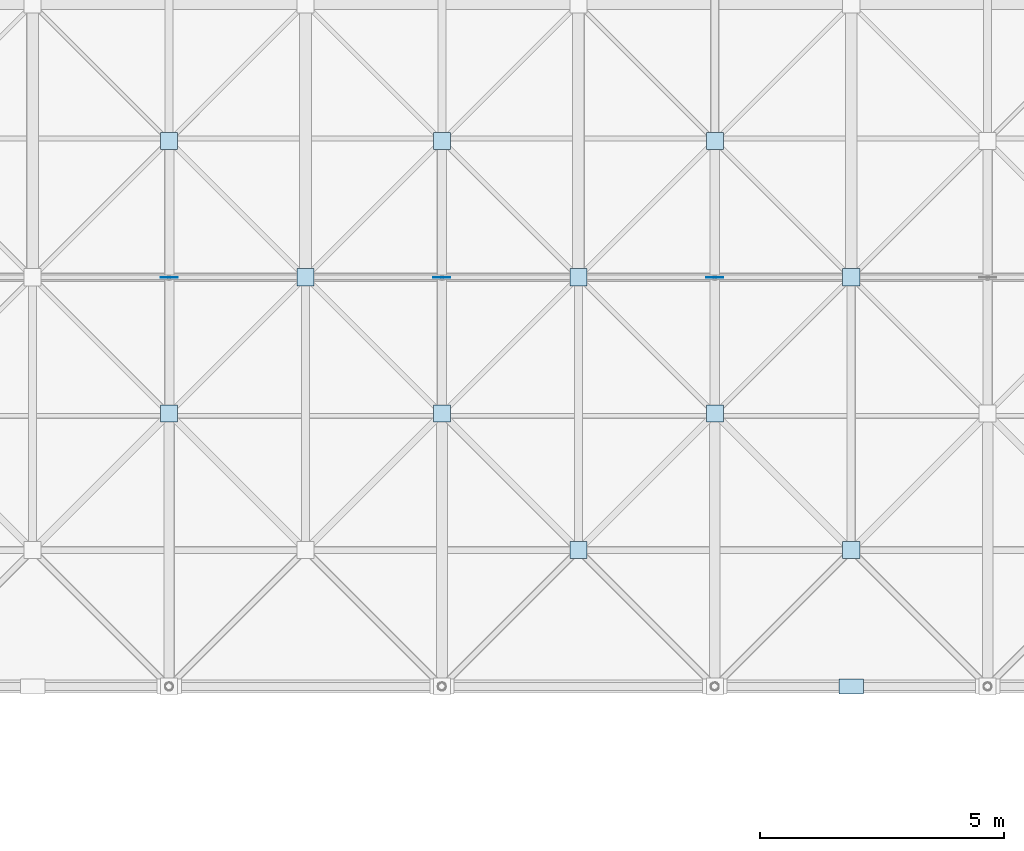
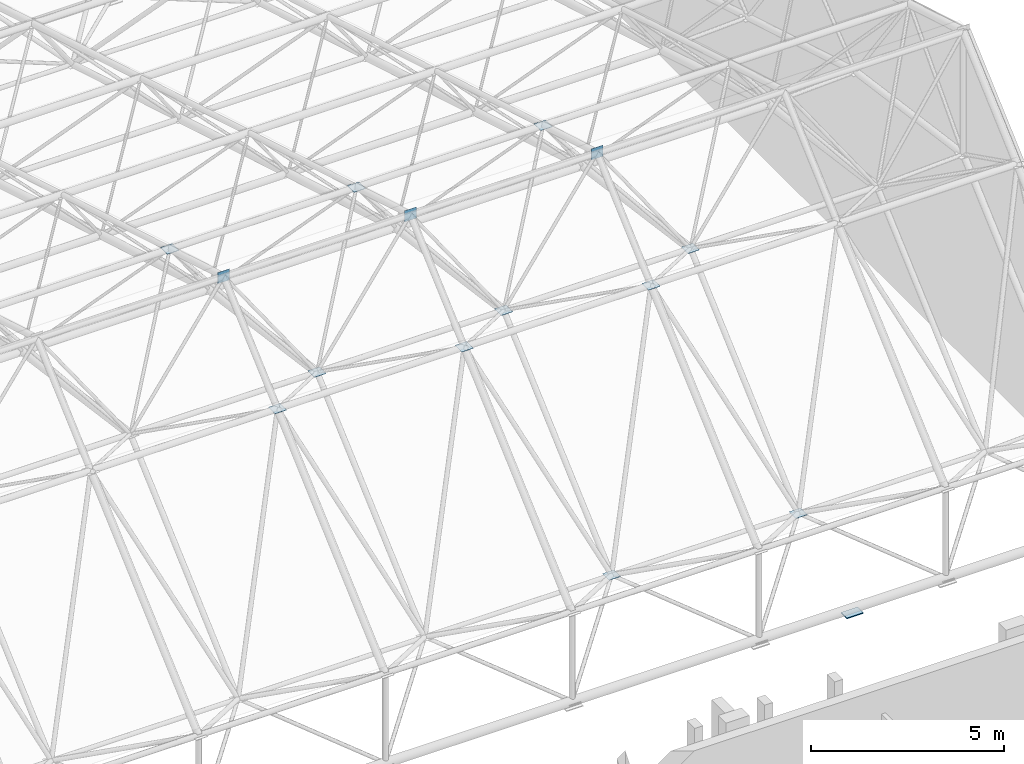
# One storey, part 60 of 100: 15 plates.
"""IFC4 building model written with IfcOpenShell, lengths in metres."""

from ifc_helpers import new_model, si_unit, direction, frame, origin, origin_2d, place, context, subcontext, project, spatial, rectangle, extrude, material, layer, layer_set, type_object, element, save


model = new_model("IFC4")

# Units and contexts
model_context = context("Model", 3, precision=1e-05, world=origin(), true_north=direction((0.0, 1.0)))
body_context = subcontext(model_context, "Body", "Model", "MODEL_VIEW")
ifc_project = project(units=[si_unit("LENGTHUNIT", "METRE"), si_unit("AREAUNIT", "SQUARE_METRE"), si_unit("VOLUMEUNIT", "CUBIC_METRE"), si_unit("PLANEANGLEUNIT", "RADIAN"), si_unit("MASSUNIT", "GRAM", prefix="KILO")], contexts=[model_context])

# Site, building, storey
site_placement = place(None, origin())
site = spatial("IfcSite", under=ifc_project, at=site_placement, CompositionType="ELEMENT")
building_placement = place(site_placement, origin())
building = spatial("IfcBuilding", under=site, at=building_placement, Name="Kiln Court Media Centre", CompositionType="ELEMENT")
storey_placement = place(building_placement, frame((0.0, 0.0, 15.0)))
storey = spatial("IfcBuildingStorey", under=building, at=storey_placement, Name="L03", CompositionType="ELEMENT", Elevation=15.0)

# Plates
ifc_material_1 = material(Name="Steel ASTM A572 Gr 50", Category="steel")
ifc_layer_1 = layer(ifc_material_1, 0.010009765625)
ifc_layer_set_1 = layer_set([ifc_layer_1], Name="Steel ASTM A572 Gr 50 350x350x10 connection plate V2")
plate_type_1 = type_object("IfcPlateType", Name="Steel ASTM A572 Gr 50 350x350x10 connection plate V2", PredefinedType="USERDEFINED", material=ifc_layer_set_1)
plate_1_placement = place(storey_placement, frame((145.60009765625, 39.199951171875, 7.9951171875), z_axis=(0.0, 0.0, 1.0), x_axis=(1.0, 0.0, 0.0)))
element("IfcPlate", 1, at=plate_1_placement, inside=storey, type_object=plate_type_1, Name="V2 node connection plate", ObjectType="CONNECTION PLATE", PredefinedType="USERDEFINED", context=body_context, shape_type="SweptSolid", body=[
    extrude(rectangle(XDim=0.35009765625, YDim=0.35009765625, at=origin_2d()), origin(), (0.0, 0.0, 1.0), 0.010009765625),
])
plate_2_placement = place(storey_placement, frame((145.60009765625, 42.0, 10.324951171875), z_axis=(0.0, 0.0, 1.0), x_axis=(1.0, 0.0, 0.0)))
element("IfcPlate", 2, at=plate_2_placement, inside=storey, type_object=plate_type_1, Name="V2 node connection plate", ObjectType="CONNECTION PLATE", PredefinedType="USERDEFINED", context=body_context, shape_type="SweptSolid", body=[
    extrude(rectangle(XDim=0.35009765625, YDim=0.010009765625, at=origin_2d()), origin(), (0.0, 0.0, 1.0), 0.35009765625),
])
for number, where, z_axis, x_axis, name in (
    (3, (145.60009765625, 44.800048828125, 9.66162109375), (0.0, 0.0, 1.0), (1.0, 0.0, 0.0), "V2 node connection plate"),
    (4, (148.39990234375, 42.0, 6.47314453125), (0.0, 0.0, 1.0), (1.0, 0.0, 0.0), "V2 node connection plate"),
    (5, (151.199951171875, 39.199951171875, 7.9951171875), (0.0, 0.0, 1.0), (1.0, 0.0, 0.0), "V2 node connection plate"),
):
    element("IfcPlate", number, at=place(storey_placement, frame(where, z_axis=z_axis, x_axis=x_axis)), inside=storey, type_object=plate_type_1, Name=name, ObjectType="CONNECTION PLATE", PredefinedType="USERDEFINED", context=body_context, shape_type="SweptSolid", body=[
        extrude(rectangle(XDim=0.35009765625, YDim=0.35009765625, at=origin_2d()), origin(), (0.0, 0.0, 1.0), 0.010009765625),
    ])
plate_3_placement = place(storey_placement, frame((151.199951171875, 42.0, 10.324951171875), z_axis=(0.0, 0.0, 1.0), x_axis=(1.0, 0.0, 0.0)))
element("IfcPlate", 6, at=plate_3_placement, inside=storey, type_object=plate_type_1, Name="V2 node connection plate", ObjectType="CONNECTION PLATE", PredefinedType="USERDEFINED", context=body_context, shape_type="SweptSolid", body=[
    extrude(rectangle(XDim=0.35009765625, YDim=0.010009765625, at=origin_2d()), origin(), (0.0, 0.0, 1.0), 0.35009765625),
])
for number, where, z_axis, x_axis, name in (
    (7, (151.199951171875, 44.800048828125, 9.66162109375), (0.0, 0.0, 1.0), (1.0, 0.0, 0.0), "V2 node connection plate"),
    (8, (154.0, 36.39990234375, 1.47314453125), (0.0, 0.0, 1.0), (1.0, 0.0, 0.0), "V2 node connection plate"),
    (9, (154.0, 42.0, 6.47314453125), (0.0, 0.0, 1.0), (1.0, 0.0, 0.0), "V2 node connection plate"),
    (10, (156.800048828125, 39.199951171875, 7.9951171875), (0.0, 0.0, 1.0), (1.0, 0.0, 0.0), "V2 node connection plate"),
):
    element("IfcPlate", number, at=place(storey_placement, frame(where, z_axis=z_axis, x_axis=x_axis)), inside=storey, type_object=plate_type_1, Name=name, ObjectType="CONNECTION PLATE", PredefinedType="USERDEFINED", context=body_context, shape_type="SweptSolid", body=[
        extrude(rectangle(XDim=0.35009765625, YDim=0.35009765625, at=origin_2d()), origin(), (0.0, 0.0, 1.0), 0.010009765625),
    ])
plate_4_placement = place(storey_placement, frame((156.800048828125, 42.0, 10.324951171875), z_axis=(0.0, 0.0, 1.0), x_axis=(1.0, 0.0, 0.0)))
element("IfcPlate", 11, at=plate_4_placement, inside=storey, type_object=plate_type_1, Name="V2 node connection plate", ObjectType="CONNECTION PLATE", PredefinedType="USERDEFINED", context=body_context, shape_type="SweptSolid", body=[
    extrude(rectangle(XDim=0.35009765625, YDim=0.010009765625, at=origin_2d()), origin(), (0.0, 0.0, 1.0), 0.35009765625),
])
for number, where, z_axis, x_axis, name in (
    (12, (156.800048828125, 44.800048828125, 9.66162109375), (0.0, 0.0, 1.0), (1.0, 0.0, 0.0), "V2 node connection plate"),
    (13, (159.60009765625, 36.39990234375, 1.47314453125), (0.0, 0.0, 1.0), (1.0, 0.0, 0.0), "V2 node connection plate"),
    (14, (159.60009765625, 42.0, 6.47314453125), (0.0, 0.0, 1.0), (1.0, 0.0, 0.0), "V2 node connection plate"),
):
    element("IfcPlate", number, at=place(storey_placement, frame(where, z_axis=z_axis, x_axis=x_axis)), inside=storey, type_object=plate_type_1, Name=name, ObjectType="CONNECTION PLATE", PredefinedType="USERDEFINED", context=body_context, shape_type="SweptSolid", body=[
        extrude(rectangle(XDim=0.35009765625, YDim=0.35009765625, at=origin_2d()), origin(), (0.0, 0.0, 1.0), 0.010009765625),
    ])
ifc_material_2 = material(Name="Steel ASTM A572 Gr 50", Category="steel")
ifc_layer_2 = layer(ifc_material_2, 0.030029296875)
ifc_layer_set_2 = layer_set([ifc_layer_2], Name="Steel ASTM A572 Gr 50 500x300x30 bearing plate")
plate_type_2 = type_object("IfcPlateType", Name="Steel ASTM A572 Gr 50 500x300x30 bearing plate", PredefinedType="USERDEFINED", material=ifc_layer_set_2)
plate_5_placement = place(storey_placement, frame((159.60009765625, 33.60009765625, -0.001953125), z_axis=(0.0, 0.0, 1.0), x_axis=(1.0, 0.0, 0.0)))
element("IfcPlate", 15, at=plate_5_placement, inside=storey, type_object=plate_type_2, Name="V2 roof bearing plate at RC-V2-3 bearing plate", ObjectType="BEARING PLATE", PredefinedType="USERDEFINED", context=body_context, shape_type="SweptSolid", body=[
    extrude(rectangle(XDim=0.5, YDim=0.300048828125, at=origin_2d()), origin(), (0.0, 0.0, 1.0), 0.030029296875),
])

save(model, "model.ifc")
